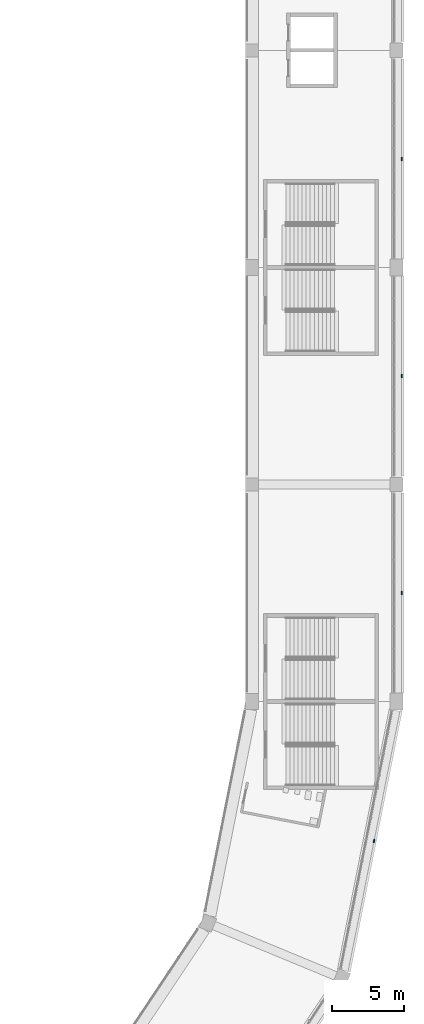
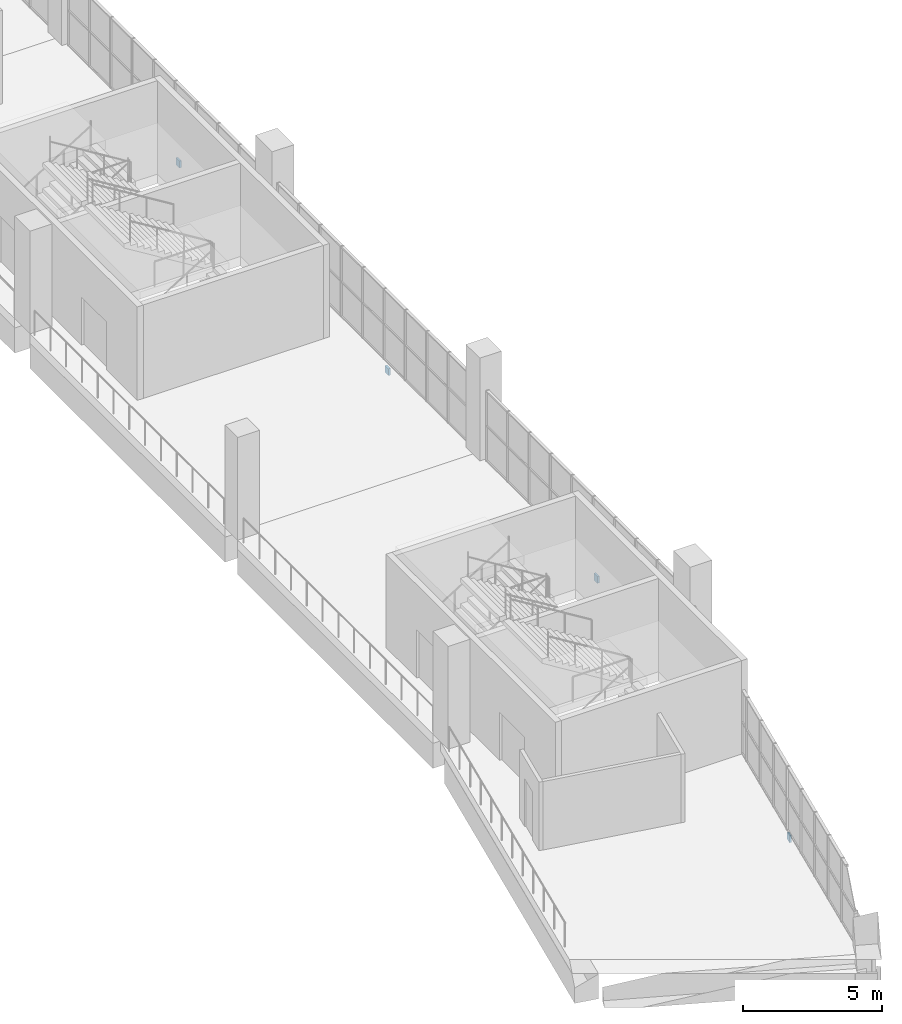
# One storey, part 75 of 177: 4 discrete accessories.
"""IFC4 building model written with IfcOpenShell, lengths in metres."""

import ifcopenshell
import ifcopenshell.guid

model = None  # the IFC model being written
_history = None  # IfcOwnerHistory: only IFC2X3 demands one
_inside = {}  # id of a spatial element -> (the spatial element, [elements in it])
_under = {}  # id of a project, library or spatial element -> (it, [spatial elements below it])
_declared = {}  # id of a project -> (the project, [libraries it declares])
_typed = {}  # id of a type object -> (the type object, [elements of that type])
_made_of = {}  # id of a material, layer set ... -> (it, [elements and type objects made of it])


def new_model(schema):
    """Start an empty IFC model of exactly this schema.

    Asked for "IFC4X3", IfcOpenShell would pick the latest addendum, in which some entities
    have other attributes; the version numbers below select the first issue.
    IFC2X3 requires an IfcOwnerHistory on every rooted entity: one is made here for all.
    """
    global model, _history
    if schema == "IFC4X3":
        model = ifcopenshell.file(schema_version=(4, 3, 0, 0))
    else:
        model = ifcopenshell.file(schema=schema)
    _inside.clear()
    _under.clear()
    _declared.clear()
    _typed.clear()
    _made_of.clear()
    _history = None
    if model.schema == "IFC2X3":
        org = make("IfcOrganization", Name="unknown")
        user = make(
            "IfcPersonAndOrganization",
            ThePerson=make("IfcPerson", FamilyName="unknown"),
            TheOrganization=org,
        )
        app = make(
            "IfcApplication",
            ApplicationDeveloper=org,
            Version="unknown",
            ApplicationFullName="unknown",
            ApplicationIdentifier="unknown",
        )
        _history = make(
            "IfcOwnerHistory",
            OwningUser=user,
            OwningApplication=app,
            ChangeAction="ADDED",
            CreationDate=0,
        )
    return model


def make(cls, **values):
    """One entity of the class cls with the attributes given. An attribute that is None is left unset."""
    return model.create_entity(
        cls, **{name: value for name, value in values.items() if value is not None}
    )


def rooted(cls, **values):
    """An entity with a GlobalId (a new one), such as an element, a storey or a relation."""
    return make(cls, GlobalId=ifcopenshell.guid.new(), OwnerHistory=_history, **values)


def si_unit(unit_type, name, prefix=None):
    """IfcSIUnit, for example si_unit("LENGTHUNIT", "METRE", prefix="MILLI")."""
    return make("IfcSIUnit", UnitType=unit_type, Prefix=prefix, Name=name)


def assignment(units):
    """IfcUnitAssignment: the units of a project."""
    return None if units is None else make("IfcUnitAssignment", Units=units)


def point(xyz):
    """IfcCartesianPoint."""
    return None if xyz is None else make("IfcCartesianPoint", Coordinates=xyz)


def direction(xyz):
    """IfcDirection."""
    return None if xyz is None else make("IfcDirection", DirectionRatios=xyz)


def frame(location, z_axis=None, x_axis=None):
    """IfcAxis2Placement3D, a coordinate frame: its origin and axes. An axis left out is left unset."""
    return make(
        "IfcAxis2Placement3D",
        Location=point(location),
        Axis=direction(z_axis),
        RefDirection=direction(x_axis),
    )


def frame_2d(location, x_axis=None):
    """IfcAxis2Placement2D, a coordinate frame in the plane: its origin and x axis."""
    return make(
        "IfcAxis2Placement2D", Location=point(location), RefDirection=direction(x_axis)
    )


def origin():
    """The frame at (0, 0, 0) with its axes left unset."""
    return frame((0.0, 0.0, 0.0))


def origin_2d():
    """The frame at (0, 0) in the plane with its x axis left unset."""
    return frame_2d((0.0, 0.0))


def place(relative_to, where):
    """IfcLocalPlacement: puts the frame where relative to a parent placement (None: the world)."""
    return make(
        "IfcLocalPlacement", PlacementRelTo=relative_to, RelativePlacement=where
    )


def context(
    kind, dimensions, precision=None, world=None, true_north=None, identifier=None
):
    """IfcGeometricRepresentationContext, for example the 3D "Model" context."""
    return make(
        "IfcGeometricRepresentationContext",
        ContextIdentifier=identifier,
        ContextType=kind,
        CoordinateSpaceDimension=dimensions,
        Precision=precision,
        WorldCoordinateSystem=world,
        TrueNorth=true_north,
    )


def subcontext(parent, identifier, kind, view, scale=None):
    """IfcGeometricRepresentationSubContext, for example "Body" below "Model"."""
    return make(
        "IfcGeometricRepresentationSubContext",
        ContextIdentifier=identifier,
        ContextType=kind,
        ParentContext=parent,
        TargetScale=scale,
        TargetView=view,
    )


def project(units=None, contexts=None):
    """IfcProject with its units and contexts."""
    return rooted(
        "IfcProject",
        Name="project",
        RepresentationContexts=contexts,
        UnitsInContext=assignment(units),
    )


def spatial(cls, under=None, at=None, **own):
    """A site, building, storey or space (cls), placed at a placement, below another one or the project."""
    s = rooted(cls, ObjectPlacement=at, **own)
    if under is not None:
        _under.setdefault(under.id(), (under, []))[1].append(s)
    return s


def profile(cls, at=None, kind="AREA", **sizes):
    """A parametric profile (cls). Its sizes go by their IFC names, for example OverallWidth=200.0."""
    return make(cls, ProfileType=kind, Position=at, **sizes)


def rectangle(**sizes):
    """IfcRectangleProfileDef."""
    return profile("IfcRectangleProfileDef", **sizes)


def extrude(swept, where, along, depth):
    """IfcExtrudedAreaSolid: the profile swept, set in the frame where, extruded along a direction by depth."""
    return make(
        "IfcExtrudedAreaSolid",
        SweptArea=swept,
        Position=where,
        ExtrudedDirection=direction(along),
        Depth=depth,
    )


def shape(context_of_items, identifier, shape_type, items):
    """IfcShapeRepresentation: the items that make up one representation, for example the "Body"."""
    return make(
        "IfcShapeRepresentation",
        ContextOfItems=context_of_items,
        RepresentationIdentifier=identifier,
        RepresentationType=shape_type,
        Items=items,
    )


def material(Name=None, Category=None):
    """IfcMaterial."""
    return make("IfcMaterial", Name=Name, Category=Category)


def layer(
    of_material, thickness, ventilated=None, Name=None, Category=None, Priority=None
):
    """IfcMaterialLayer: one layer of a wall or slab, of a material (None: an air gap)."""
    return make(
        "IfcMaterialLayer",
        Material=of_material,
        LayerThickness=thickness,
        IsVentilated=ventilated,
        Name=Name,
        Category=Category,
        Priority=Priority,
    )


def layer_set(layers, Name=None):
    """IfcMaterialLayerSet."""
    return make("IfcMaterialLayerSet", MaterialLayers=layers, LayerSetName=Name)


def made_of(thing, what):
    """Note that an element or type object is made of a material, layer set ...; save() writes the relation."""
    if what is not None:
        _made_of.setdefault(what.id(), (what, []))[1].append(thing)
    return thing


def type_object(cls, material=None, **own):
    """A type object (cls), such as IfcWallType, which elements share."""
    return made_of(rooted(cls, **own), material)


def element(
    cls,
    number,
    at=None,
    inside=None,
    cuts=None,
    type_object=None,
    material=None,
    context=None,
    identifier="Body",
    shape_type=None,
    held_by="IfcProductDefinitionShape",
    body=None,
    shapes=None,
    **own,
):
    """One element of the class cls, such as IfcWall. Its Tag is "e" and its number.

    at: its placement. inside: the storey or other place that contains it. cuts: it is an
    opening in that element (IfcRelVoidsElement). A single representation is given by context,
    identifier, shape_type and body (its items); several are given by shapes. held_by: the class
    of the entity that holds the representations. save() writes the other relations.
    """
    e = rooted(cls, Tag="e%d" % number, ObjectPlacement=at, **own)
    if body is not None:
        shapes = [shape(context, identifier, shape_type, body)]
    if shapes is not None:
        e.Representation = make(held_by, Representations=shapes)
    if inside is not None:
        _inside.setdefault(inside.id(), (inside, []))[1].append(e)
    if cuts is not None:
        rooted(
            "IfcRelVoidsElement", RelatingBuildingElement=cuts, RelatedOpeningElement=e
        )
    if type_object is not None:
        _typed.setdefault(type_object.id(), (type_object, []))[1].append(e)
    return made_of(e, material)


def aggregate(whole, parts):
    """IfcRelAggregates: a whole, such as a stair, and the parts it consists of."""
    return rooted("IfcRelAggregates", RelatingObject=whole, RelatedObjects=parts)


def save(model, path):
    """Write the relations noted so far, then the file.

    IfcRelAggregates (storeys below a building ...), IfcRelContainedInSpatialStructure (elements
    in a storey), IfcRelDefinesByType, IfcRelAssociatesMaterial and IfcRelDeclares: one each for
    every whole, place, type object, material and project.
    """
    for whole, parts in _under.values():
        aggregate(whole, parts)
    for where, things in _inside.values():
        rooted(
            "IfcRelContainedInSpatialStructure",
            RelatedElements=things,
            RelatingStructure=where,
        )
    for kind, things in _typed.values():
        rooted("IfcRelDefinesByType", RelatedObjects=things, RelatingType=kind)
    for what, things in _made_of.values():
        rooted("IfcRelAssociatesMaterial", RelatedObjects=things, RelatingMaterial=what)
    for by, libraries in _declared.values():
        rooted("IfcRelDeclares", RelatingContext=by, RelatedDefinitions=libraries)
    model.write(path)


model = new_model("IFC4")

# Units and contexts
model_context = context("Model", 3, precision=1e-05, world=origin(), true_north=direction((0.0, 1.0)))
body_context = subcontext(model_context, "Body", "Model", "MODEL_VIEW")
ifc_project = project(units=[si_unit("LENGTHUNIT", "METRE"), si_unit("AREAUNIT", "SQUARE_METRE"), si_unit("VOLUMEUNIT", "CUBIC_METRE"), si_unit("PLANEANGLEUNIT", "RADIAN"), si_unit("MASSUNIT", "GRAM", prefix="KILO")], contexts=[model_context])

# Site, building, storey
site_placement = place(None, origin())
site = spatial("IfcSite", under=ifc_project, at=site_placement, CompositionType="ELEMENT")
building_placement = place(site_placement, origin())
building = spatial("IfcBuilding", under=site, at=building_placement, Name="Ogive Plaza Stadium", CompositionType="ELEMENT")
storey_placement = place(building_placement, frame((0.0, 0.0, 18.0)))
storey = spatial("IfcBuildingStorey", under=building, at=storey_placement, Name="L04", CompositionType="ELEMENT", Elevation=18.0)

# Discrete accessories
ifc_material = material(Name="Steel ASTM A572 Grade 50", Category="steel")
ifc_layer = layer(ifc_material, 0.080078125)
ifc_layer_set = layer_set([ifc_layer], Name="Steel ASTM A572 Grade 50")
discrete_accessory_type = type_object("IfcDiscreteAccessoryType", Name="Spandrel cladding bracket 250x300", PredefinedType="BRACKET", material=ifc_layer_set)
for number, where, z_axis, x_axis, name in (
    (1, (84.35009765625, -15.0, -1.31005859375), (0.0, 0.0, 1.0), (0.0, -1.0, 0.0), "SPANDREL BRACKET B05 L04"),
    (2, (84.35009765625, -30.0, -1.31005859375), (0.0, 0.0, 1.0), (0.0, -1.0, 0.0), "SPANDREL BRACKET B06 L04"),
    (3, (84.35009765625, -45.0, -1.31005859375), (0.0, 0.0, 1.0), (0.0, -1.0, 0.0), "SPANDREL BRACKET B07 L04"),
    (4, (82.440185546875, -62.135498046875, -1.60986328125), (0.0, 0.0, 1.0), (-0.195090322016, -0.980785280403, 0.0), "SPANDREL BRACKET B08 L04"),
):
    element("IfcDiscreteAccessory", number, at=place(storey_placement, frame(where, z_axis=z_axis, x_axis=x_axis)), inside=storey, type_object=discrete_accessory_type, Name=name, PredefinedType="BRACKET", context=body_context, shape_type="SweptSolid", body=[
        extrude(rectangle(XDim=0.25, YDim=0.080078125, at=origin_2d()), origin(), (0.0, 0.0, 1.0), 0.300048828125),
    ])

save(model, "model.ifc")
